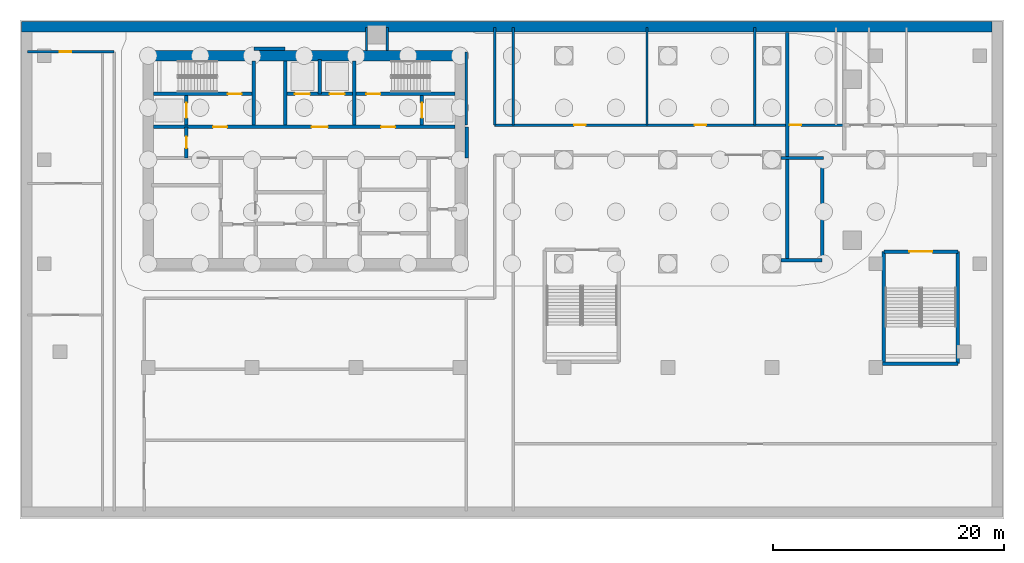
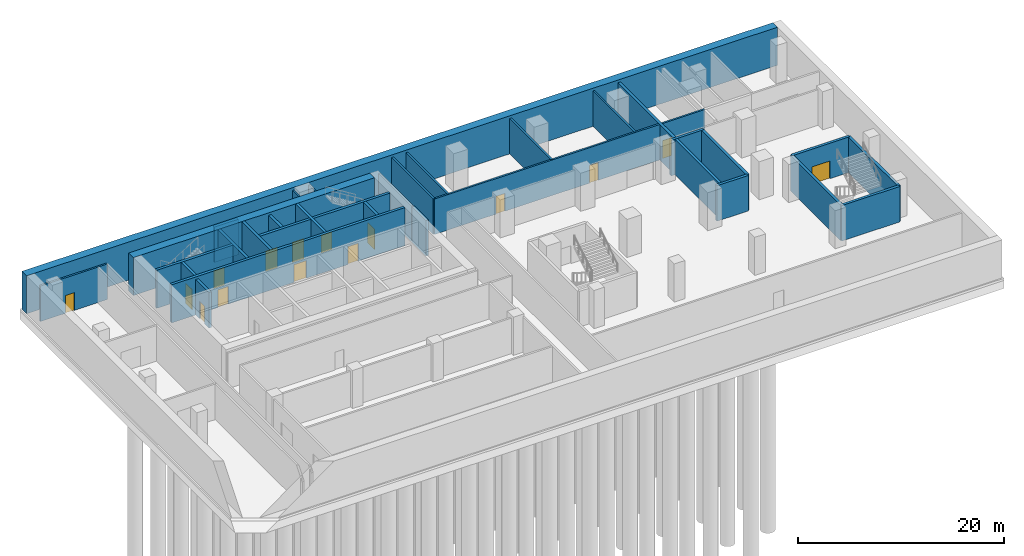
# One storey, part 5 of 13: 31 walls, 15 doors, 15 openings.
"""IFC4 building model written with IfcOpenShell, lengths in metres."""

from ifc_helpers import new_model, si_unit, direction, frame, frame_2d, origin, place, context, subcontext, project, spatial, rectangle, extrude, material, layer, layer_set, type_object, element, fill, save


model = new_model("IFC4")

# Units and contexts
model_context = context("Model", 3, precision=1e-05, world=origin(), true_north=direction((0.0, 1.0)))
body_context = subcontext(model_context, "Body", "Model", "MODEL_VIEW")
ifc_project = project(units=[si_unit("LENGTHUNIT", "METRE"), si_unit("AREAUNIT", "SQUARE_METRE"), si_unit("VOLUMEUNIT", "CUBIC_METRE"), si_unit("PLANEANGLEUNIT", "RADIAN"), si_unit("MASSUNIT", "GRAM", prefix="KILO")], contexts=[model_context])

# Site, building, storey
site_placement = place(None, origin())
site = spatial("IfcSite", under=ifc_project, at=site_placement, CompositionType="ELEMENT")
building_placement = place(site_placement, origin())
building = spatial("IfcBuilding", under=site, at=building_placement, Name="Ogive Portal Towers", CompositionType="ELEMENT")
storey_placement = place(building_placement, frame((0.0, 0.0, -9.0)))
storey = spatial("IfcBuildingStorey", under=building, at=storey_placement, Name="B2", CompositionType="ELEMENT", Elevation=-9.0)

# Wall, openings, doors
ifc_material_1 = material(Name="Concrete C60/75", Category="concrete")
ifc_layer_1 = layer(ifc_material_1, 0.300048828125)
ifc_layer_set_1 = layer_set([ifc_layer_1], Name="CORE WALL 300 C60")
wall_type_1 = type_object("IfcWallType", Name="CORE WALL 300 C60", PredefinedType="SHEAR", material=ifc_layer_set_1)
wall_1_placement = place(storey_placement, frame((31.949951171875, 33.35009765625, 0.0), z_axis=(0.0, 0.0, 1.0), x_axis=(1.0, 0.0, 0.0)))
wall_1 = element("IfcWall", 1, at=wall_1_placement, inside=storey, type_object=wall_type_1, Name="Core wall Y2 B2", PredefinedType="SHEAR", context=body_context, shape_type="SweptSolid", body=[
    extrude(rectangle(XDim=26.10009765625, YDim=0.300048828125, at=frame_2d((13.050048828125, 0.0))), origin(), (0.0, 0.0, 1.0), 4.5),
])
opening_1_placement = place(wall_1_placement, frame((13.699951171875, 0.0, 0.0)))
opening_1 = element("IfcOpeningElement", 2, at=opening_1_placement, cuts=wall_1, Name="Opening D100-001", PredefinedType="OPENING", context=body_context, shape_type="SweptSolid", body=[
    extrude(rectangle(XDim=1.39990234375, YDim=2.10009765625, at=frame_2d((0.699951171875, 1.050048828125))), frame((0.0, 0.16015625, 0.0), z_axis=(0.0, -1.0, 0.0), x_axis=(1.0, 0.0, 0.0)), (0.0, 0.0, 1.0), 0.320068359375),
])
opening_2_placement = place(wall_1_placement, frame((5.175048828125, 0.0, 0.0)))
opening_2 = element("IfcOpeningElement", 3, at=opening_2_placement, cuts=wall_1, Name="Opening D100-002", PredefinedType="OPENING", context=body_context, shape_type="SweptSolid", body=[
    extrude(rectangle(XDim=1.199951171875, YDim=2.10009765625, at=frame_2d((0.60009765625, 1.050048828125))), frame((0.0, 0.16015625, 0.0), z_axis=(0.0, -1.0, 0.0), x_axis=(1.0, 0.0, 0.0)), (0.0, 0.0, 1.0), 0.320068359375),
])
opening_3_placement = place(wall_1_placement, frame((19.72509765625, 0.0, 0.0)))
opening_3 = element("IfcOpeningElement", 4, at=opening_3_placement, cuts=wall_1, Name="Opening D100-003", PredefinedType="OPENING", context=body_context, shape_type="SweptSolid", body=[
    extrude(rectangle(XDim=1.199951171875, YDim=2.10009765625, at=frame_2d((0.60009765625, 1.050048828125))), frame((0.0, 0.16015625, 0.0), z_axis=(0.0, -1.0, 0.0), x_axis=(1.0, 0.0, 0.0)), (0.0, 0.0, 1.0), 0.320068359375),
])
ifc_material_2 = material(Name="Steel fire door", Category="steel")
door_type_1 = type_object("IfcDoorType", Name="DT-SWING-1200x2100-FD90S", OperationType="SINGLE_SWING_LEFT", PredefinedType="DOOR", material=ifc_material_2)
door_1_placement = place(opening_2_placement, origin())
door_1 = element("IfcDoor", 5, at=door_1_placement, inside=storey, type_object=door_type_1, Name="Door D100-002", OperationType="SINGLE_SWING_LEFT", OverallHeight=2.10009765625, OverallWidth=1.199951171875, PredefinedType="DOOR", context=body_context, shape_type="SweptSolid", body=[
    extrude(rectangle(XDim=1.199951171875, YDim=2.10009765625, at=frame_2d((0.60009765625, 1.050048828125))), frame((0.0, 0.02490234375, 0.0), z_axis=(0.0, -1.0, 0.0), x_axis=(1.0, 0.0, 0.0)), (0.0, 0.0, 1.0), 0.050048828125),
])
fill(opening_2, door_1)
door_2_placement = place(opening_3_placement, origin())
door_2 = element("IfcDoor", 6, at=door_2_placement, inside=storey, type_object=door_type_1, Name="Door D100-003", OperationType="SINGLE_SWING_RIGHT", OverallHeight=2.10009765625, OverallWidth=1.199951171875, PredefinedType="DOOR", context=body_context, shape_type="SweptSolid", body=[
    extrude(rectangle(XDim=1.199951171875, YDim=2.10009765625, at=frame_2d((0.60009765625, 1.050048828125))), frame((0.0, 0.02490234375, 0.0), z_axis=(0.0, -1.0, 0.0), x_axis=(1.0, 0.0, 0.0)), (0.0, 0.0, 1.0), 0.050048828125),
])
fill(opening_3, door_2)
door_type_2 = type_object("IfcDoorType", Name="DT-SWING-1400x2100-FD90S", OperationType="SINGLE_SWING_LEFT", PredefinedType="DOOR", material=ifc_material_2)
door_3_placement = place(opening_1_placement, origin())
door_3 = element("IfcDoor", 7, at=door_3_placement, inside=storey, type_object=door_type_2, Name="Door D100-001", OperationType="SINGLE_SWING_RIGHT", OverallHeight=2.10009765625, OverallWidth=1.39990234375, PredefinedType="DOOR", context=body_context, shape_type="SweptSolid", body=[
    extrude(rectangle(XDim=1.39990234375, YDim=2.10009765625, at=frame_2d((0.699951171875, 1.050048828125))), frame((0.0, 0.02490234375, 0.0), z_axis=(0.0, -1.0, 0.0), x_axis=(1.0, 0.0, 0.0)), (0.0, 0.0, 1.0), 0.050048828125),
])
fill(opening_1, door_3)

# Wall, opening, door
wall_2_placement = place(storey_placement, frame((31.949951171875, 36.199951171875, 0.0), z_axis=(0.0, 0.0, 1.0), x_axis=(1.0, 0.0, 0.0)))
wall_2 = element("IfcWall", 8, at=wall_2_placement, inside=storey, type_object=wall_type_1, Name="Core wall Y3a B2", PredefinedType="SHEAR", context=body_context, shape_type="SweptSolid", body=[
    extrude(rectangle(XDim=8.550048828125, YDim=0.300048828125, at=frame_2d((4.27490234375, 0.0))), origin(), (0.0, 0.0, 1.0), 4.5),
])
opening_4_placement = place(wall_2_placement, frame((6.449951171875, 0.0, 0.0)))
opening_4 = element("IfcOpeningElement", 9, at=opening_4_placement, cuts=wall_2, Name="Opening D100-004", PredefinedType="OPENING", context=body_context, shape_type="SweptSolid", body=[
    extrude(rectangle(XDim=1.199951171875, YDim=2.10009765625, at=frame_2d((0.60009765625, 1.050048828125))), frame((0.0, 0.16015625, 0.0), z_axis=(0.0, -1.0, 0.0), x_axis=(1.0, 0.0, 0.0)), (0.0, 0.0, 1.0), 0.320068359375),
])
door_4_placement = place(opening_4_placement, origin())
door_4 = element("IfcDoor", 10, at=door_4_placement, inside=storey, type_object=door_type_1, Name="Door D100-004", OperationType="SINGLE_SWING_RIGHT", OverallHeight=2.10009765625, OverallWidth=1.199951171875, PredefinedType="DOOR", context=body_context, shape_type="SweptSolid", body=[
    extrude(rectangle(XDim=1.199951171875, YDim=2.10009765625, at=frame_2d((0.60009765625, 1.050048828125))), frame((0.0, 0.02490234375, 0.0), z_axis=(0.0, -1.0, 0.0), x_axis=(1.0, 0.0, 0.0)), (0.0, 0.0, 1.0), 0.050048828125),
])
fill(opening_4, door_4)

# Wall, openings, doors
wall_3_placement = place(storey_placement, frame((43.5, 36.199951171875, 0.0), z_axis=(0.0, 0.0, 1.0), x_axis=(1.0, 0.0, 0.0)))
wall_3 = element("IfcWall", 11, at=wall_3_placement, inside=storey, type_object=wall_type_1, Name="Core wall Y3b B2", PredefinedType="SHEAR", context=body_context, shape_type="SweptSolid", body=[
    extrude(rectangle(XDim=14.550048828125, YDim=0.300048828125, at=frame_2d((7.27490234375, 0.0))), origin(), (0.0, 0.0, 1.0), 4.5),
])
opening_5_placement = place(wall_3_placement, frame((6.89990234375, 0.0, 0.0)))
opening_5 = element("IfcOpeningElement", 12, at=opening_5_placement, cuts=wall_3, Name="Opening D100-005", PredefinedType="OPENING", context=body_context, shape_type="SweptSolid", body=[
    extrude(rectangle(XDim=1.199951171875, YDim=2.10009765625, at=frame_2d((0.60009765625, 1.050048828125))), frame((0.0, 0.16015625, 0.0), z_axis=(0.0, -1.0, 0.0), x_axis=(1.0, 0.0, 0.0)), (0.0, 0.0, 1.0), 0.320068359375),
])
opening_6_placement = place(wall_3_placement, frame((0.699951171875, 0.0, 0.0)))
opening_6 = element("IfcOpeningElement", 13, at=opening_6_placement, cuts=wall_3, Name="Opening D100-010", PredefinedType="OPENING", context=body_context, shape_type="SweptSolid", body=[
    extrude(rectangle(XDim=1.300048828125, YDim=2.39990234375, at=frame_2d((0.64990234375, 1.199951171875))), frame((0.0, 0.16015625, 0.0), z_axis=(0.0, -1.0, 0.0), x_axis=(1.0, 0.0, 0.0)), (0.0, 0.0, 1.0), 0.320068359375),
])
opening_7_placement = place(wall_3_placement, frame((3.699951171875, 0.0, 0.0)))
opening_7 = element("IfcOpeningElement", 14, at=opening_7_placement, cuts=wall_3, Name="Opening D100-011", PredefinedType="OPENING", context=body_context, shape_type="SweptSolid", body=[
    extrude(rectangle(XDim=1.300048828125, YDim=2.39990234375, at=frame_2d((0.64990234375, 1.199951171875))), frame((0.0, 0.16015625, 0.0), z_axis=(0.0, -1.0, 0.0), x_axis=(1.0, 0.0, 0.0)), (0.0, 0.0, 1.0), 0.320068359375),
])
ifc_material_3 = material(Name="Stainless steel", Category="steel")
door_type_3 = type_object("IfcDoorType", Name="DT-LD-1300x2400", OperationType="SLIDING_TO_LEFT", PredefinedType="DOOR", material=ifc_material_3)
door_5_placement = place(opening_6_placement, origin())
door_5 = element("IfcDoor", 15, at=door_5_placement, inside=storey, type_object=door_type_3, Name="Door D100-010", OperationType="SLIDING_TO_LEFT", OverallHeight=2.39990234375, OverallWidth=1.300048828125, PredefinedType="DOOR", context=body_context, shape_type="SweptSolid", body=[
    extrude(rectangle(XDim=1.300048828125, YDim=2.39990234375, at=frame_2d((0.64990234375, 1.199951171875))), frame((0.0, 0.02490234375, 0.0), z_axis=(0.0, -1.0, 0.0), x_axis=(1.0, 0.0, 0.0)), (0.0, 0.0, 1.0), 0.050048828125),
])
fill(opening_6, door_5)
door_6_placement = place(opening_7_placement, origin())
door_6 = element("IfcDoor", 16, at=door_6_placement, inside=storey, type_object=door_type_3, Name="Door D100-011", OperationType="SLIDING_TO_LEFT", OverallHeight=2.39990234375, OverallWidth=1.300048828125, PredefinedType="DOOR", context=body_context, shape_type="SweptSolid", body=[
    extrude(rectangle(XDim=1.300048828125, YDim=2.39990234375, at=frame_2d((0.64990234375, 1.199951171875))), frame((0.0, 0.02490234375, 0.0), z_axis=(0.0, -1.0, 0.0), x_axis=(1.0, 0.0, 0.0)), (0.0, 0.0, 1.0), 0.050048828125),
])
fill(opening_7, door_6)
door_7_placement = place(opening_5_placement, origin())
door_7 = element("IfcDoor", 17, at=door_7_placement, inside=storey, type_object=door_type_1, Name="Door D100-005", OperationType="SINGLE_SWING_LEFT", OverallHeight=2.10009765625, OverallWidth=1.199951171875, PredefinedType="DOOR", context=body_context, shape_type="SweptSolid", body=[
    extrude(rectangle(XDim=1.199951171875, YDim=2.10009765625, at=frame_2d((0.60009765625, 1.050048828125))), frame((0.0, 0.02490234375, 0.0), z_axis=(0.0, -1.0, 0.0), x_axis=(1.0, 0.0, 0.0)), (0.0, 0.0, 1.0), 0.050048828125),
])
fill(opening_5, door_7)

# Walls
for number, where, z_axis, x_axis, name in (
    (18, (40.64990234375, 33.5, 0.0), (0.0, 0.0, 1.0), (0.0, 1.0, 0.0), "Core wall X6 B2"),
    (19, (43.35009765625, 33.5, 0.0), (0.0, 0.0, 1.0), (0.0, 1.0, 0.0), "Core wall X7 B2"),
):
    element("IfcWall", number, at=place(storey_placement, frame(where, z_axis=z_axis, x_axis=x_axis)), inside=storey, type_object=wall_type_1, Name=name, PredefinedType="SHEAR", context=body_context, shape_type="SweptSolid", body=[
        extrude(rectangle(XDim=5.550048828125, YDim=0.300048828125, at=frame_2d((2.77490234375, 0.0))), origin(), (0.0, 0.0, 1.0), 4.5),
    ])

# Wall, opening, door
wall_4_placement = place(storey_placement, frame((34.800048828125, 33.5, 0.0), z_axis=(0.0, 0.0, 1.0), x_axis=(0.0, 1.0, 0.0)))
wall_4 = element("IfcWall", 20, at=wall_4_placement, inside=storey, type_object=wall_type_1, Name="Core wall X8 B2", PredefinedType="SHEAR", context=body_context, shape_type="SweptSolid", body=[
    extrude(rectangle(XDim=2.550048828125, YDim=0.300048828125, at=frame_2d((1.27490234375, 0.0))), origin(), (0.0, 0.0, 1.0), 4.5),
])
opening_8_placement = place(wall_4_placement, frame((0.625, 0.0, 0.0)))
opening_8 = element("IfcOpeningElement", 21, at=opening_8_placement, cuts=wall_4, Name="Opening D100-012", PredefinedType="OPENING", context=body_context, shape_type="SweptSolid", body=[
    extrude(rectangle(XDim=1.300048828125, YDim=2.39990234375, at=frame_2d((0.64990234375, 1.199951171875))), frame((0.0, 0.16015625, 0.0), z_axis=(0.0, -1.0, 0.0), x_axis=(1.0, 0.0, 0.0)), (0.0, 0.0, 1.0), 0.320068359375),
])
door_8_placement = place(opening_8_placement, origin())
door_8 = element("IfcDoor", 22, at=door_8_placement, inside=storey, type_object=door_type_3, Name="Door D100-012", OperationType="SLIDING_TO_LEFT", OverallHeight=2.39990234375, OverallWidth=1.300048828125, PredefinedType="DOOR", context=body_context, shape_type="SweptSolid", body=[
    extrude(rectangle(XDim=1.300048828125, YDim=2.39990234375, at=frame_2d((0.64990234375, 1.199951171875))), frame((0.0, 0.02490234375, 0.0), z_axis=(0.0, -1.0, 0.0), x_axis=(1.0, 0.0, 0.0)), (0.0, 0.0, 1.0), 0.050048828125),
])
fill(opening_8, door_8)

# Wall
wall_5_placement = place(storey_placement, frame((49.35009765625, 33.5, 0.0), z_axis=(0.0, 0.0, 1.0), x_axis=(0.0, 1.0, 0.0)))
element("IfcWall", 23, at=wall_5_placement, inside=storey, type_object=wall_type_1, Name="Core wall X9 B2", PredefinedType="SHEAR", context=body_context, shape_type="SweptSolid", body=[
    extrude(rectangle(XDim=5.550048828125, YDim=0.300048828125, at=frame_2d((2.77490234375, 0.0))), origin(), (0.0, 0.0, 1.0), 4.5),
])

# Wall, opening, door
wall_6_placement = place(storey_placement, frame((55.199951171875, 33.5, 0.0), z_axis=(0.0, 0.0, 1.0), x_axis=(0.0, 1.0, 0.0)))
wall_6 = element("IfcWall", 24, at=wall_6_placement, inside=storey, type_object=wall_type_1, Name="Core wall X10 B2", PredefinedType="SHEAR", context=body_context, shape_type="SweptSolid", body=[
    extrude(rectangle(XDim=2.550048828125, YDim=0.300048828125, at=frame_2d((1.27490234375, 0.0))), origin(), (0.0, 0.0, 1.0), 4.5),
])
opening_9_placement = place(wall_6_placement, frame((0.625, 0.0, 0.0)))
opening_9 = element("IfcOpeningElement", 25, at=opening_9_placement, cuts=wall_6, Name="Opening D100-013", PredefinedType="OPENING", context=body_context, shape_type="SweptSolid", body=[
    extrude(rectangle(XDim=1.300048828125, YDim=2.39990234375, at=frame_2d((0.64990234375, 1.199951171875))), frame((0.0, 0.16015625, 0.0), z_axis=(0.0, -1.0, 0.0), x_axis=(1.0, 0.0, 0.0)), (0.0, 0.0, 1.0), 0.320068359375),
])
door_9_placement = place(opening_9_placement, origin())
door_9 = element("IfcDoor", 26, at=door_9_placement, inside=storey, type_object=door_type_3, Name="Door D100-013", OperationType="SLIDING_TO_LEFT", OverallHeight=2.39990234375, OverallWidth=1.300048828125, PredefinedType="DOOR", context=body_context, shape_type="SweptSolid", body=[
    extrude(rectangle(XDim=1.300048828125, YDim=2.39990234375, at=frame_2d((0.64990234375, 1.199951171875))), frame((0.0, 0.02490234375, 0.0), z_axis=(0.0, -1.0, 0.0), x_axis=(1.0, 0.0, 0.0)), (0.0, 0.0, 1.0), 0.050048828125),
])
fill(opening_9, door_9)

# Walls
ifc_layer_2 = layer(ifc_material_1, 0.89990234375)
ifc_layer_set_2 = layer_set([ifc_layer_2], Name="CORE WALL 900 C60")
wall_type_2 = type_object("IfcWallType", Name="CORE WALL 900 C60", PredefinedType="SHEAR", material=ifc_layer_set_2)
wall_7_placement = place(storey_placement, frame((31.050048828125, 39.5, 0.0), z_axis=(0.0, 0.0, 1.0), x_axis=(1.0, 0.0, 0.0)))
element("IfcWall", 27, at=wall_7_placement, inside=storey, type_object=wall_type_2, Name="Core wall N B2", PredefinedType="SHEAR", context=body_context, shape_type="SweptSolid", body=[
    extrude(rectangle(XDim=27.0, YDim=0.89990234375, at=frame_2d((13.5, 0.0))), origin(), (0.0, 0.0, 1.0), 4.5),
])
ifc_material_4 = material(Name="Concrete C50/60", Category="concrete")
ifc_layer_3 = layer(ifc_material_4, 0.300048828125)
ifc_layer_set_3 = layer_set([ifc_layer_3], Name="STAIR WALL 300 C50")
wall_type_3 = type_object("IfcWallType", Name="STAIR WALL 300 C50", PredefinedType="SHEAR", material=ifc_layer_set_3)
wall_8_placement = place(storey_placement, frame((95.10009765625, 12.85009765625, 0.0), z_axis=(0.0, 0.0, 1.0), x_axis=(1.0, 0.0, 0.0)))
element("IfcWall", 28, at=wall_8_placement, inside=storey, type_object=wall_type_3, Name="Stair wall ST-S2 B2", PredefinedType="SHEAR", context=body_context, shape_type="SweptSolid", body=[
    extrude(rectangle(XDim=6.5, YDim=0.300048828125, at=frame_2d((3.25, 0.0))), origin(), (0.0, 0.0, 1.0), 4.199951171875),
])
for number, where, z_axis, x_axis, name in (
    (29, (101.60009765625, 12.85009765625, 0.0), (0.0, 0.0, 1.0), (0.0, 1.0, 0.0), "Stair wall ST-S2 B2"),
    (30, (95.199951171875, 12.85009765625, 0.0), (0.0, 0.0, 1.0), (0.0, 1.0, 0.0), "Stair wall ST-S2 B2"),
):
    element("IfcWall", number, at=place(storey_placement, frame(where, z_axis=z_axis, x_axis=x_axis)), inside=storey, type_object=wall_type_3, Name=name, PredefinedType="SHEAR", context=body_context, shape_type="SweptSolid", body=[
        extrude(rectangle(XDim=9.699951171875, YDim=0.300048828125, at=frame_2d((4.85009765625, 0.0))), origin(), (0.0, 0.0, 1.0), 4.199951171875),
    ])
wall_9_placement = place(storey_placement, frame((86.300048828125, 21.800048828125, 0.0), z_axis=(0.0, 0.0, 1.0), x_axis=(1.0, 0.0, 0.0)))
element("IfcWall", 31, at=wall_9_placement, inside=storey, type_object=wall_type_3, Name="Stair wall support ST-A4 B2", PredefinedType="SHEAR", context=body_context, shape_type="SweptSolid", body=[
    extrude(rectangle(XDim=3.550048828125, YDim=0.300048828125, at=frame_2d((1.77490234375, 0.0))), origin(), (0.0, 0.0, 1.0), 4.199951171875),
])
wall_10_placement = place(storey_placement, frame((86.300048828125, 30.64990234375, 0.0), z_axis=(0.0, 0.0, 1.0), x_axis=(1.0, 0.0, 0.0)))
element("IfcWall", 32, at=wall_10_placement, inside=storey, type_object=wall_type_3, Name="Stair wall support ST-A4 B2", PredefinedType="SHEAR", context=body_context, shape_type="SweptSolid", body=[
    extrude(rectangle(XDim=3.669921875, YDim=0.300048828125, at=frame_2d((1.8349609375, 0.0))), origin(), (0.0, 0.0, 1.0), 4.199951171875),
])
wall_11_placement = place(storey_placement, frame((86.85009765625, 21.800048828125, 0.0), z_axis=(0.0, 0.0, 1.0), x_axis=(0.0, 1.0, 0.0)))
element("IfcWall", 33, at=wall_11_placement, inside=storey, type_object=wall_type_3, Name="Stair wall support ST-A4 B2", PredefinedType="SHEAR", context=body_context, shape_type="SweptSolid", body=[
    extrude(rectangle(XDim=19.72998046875, YDim=0.300048828125, at=frame_2d((9.864990234375, 0.0))), origin(), (0.0, 0.0, 1.0), 4.199951171875),
])
wall_12_placement = place(storey_placement, frame((89.85009765625, 21.800048828125, 0.0), z_axis=(0.0, 0.0, 1.0), x_axis=(0.0, 1.0, 0.0)))
element("IfcWall", 34, at=wall_12_placement, inside=storey, type_object=wall_type_3, Name="Stair wall support ST-A4 B2", PredefinedType="SHEAR", context=body_context, shape_type="SweptSolid", body=[
    extrude(rectangle(XDim=8.919921875, YDim=0.300048828125, at=frame_2d((4.4599609375, 0.0))), origin(), (0.0, 0.0, 1.0), 4.199951171875),
])
ifc_material_5 = material(Name="Concrete C40/50", Category="concrete")
ifc_layer_4 = layer(ifc_material_5, 0.89990234375)
ifc_layer_set_4 = layer_set([ifc_layer_4], Name="STATION WALL 900 C40")
wall_type_4 = type_object("IfcWallType", Name="STATION WALL 900 C40", PredefinedType="SOLIDWALL", material=ifc_layer_set_4)
wall_13_placement = place(storey_placement, frame((104.550048828125, 42.0, 0.0), z_axis=(0.0, 0.0, 1.0), x_axis=(-1.0, 0.0, 0.0)))
element("IfcWall", 35, at=wall_13_placement, inside=storey, type_object=wall_type_4, Name="Station wall B2", PredefinedType="SOLIDWALL", context=body_context, shape_type="SweptSolid", body=[
    extrude(rectangle(XDim=84.0, YDim=0.89990234375, at=frame_2d((42.0, 0.0))), origin(), (0.0, 0.0, 1.0), 4.5),
])

# Wall, openings, doors
ifc_material_6 = material(Name="Gypsum board partition on steel studs", Category="steel")
ifc_layer_5 = layer(ifc_material_6, 0.199951171875)
ifc_layer_set_5 = layer_set([ifc_layer_5], Name="WT-PART-200-EI 60")
wall_type_5 = type_object("IfcWallType", Name="WT-PART-200-EI 60", PredefinedType="PARTITIONING", material=ifc_layer_set_5)
wall_14_placement = place(storey_placement, frame((61.5, 33.5, 0.0), z_axis=(0.0, 0.0, 1.0), x_axis=(1.0, 0.0, 0.0)))
wall_14 = element("IfcWall", 36, at=wall_14_placement, inside=storey, type_object=wall_type_5, Name="Wall B2:w011", PredefinedType="PARTITIONING", context=body_context, shape_type="SweptSolid", body=[
    extrude(rectangle(XDim=30.25, YDim=0.199951171875, at=frame_2d((15.125, 0.0))), origin(), (0.0, 0.0, 1.0), 4.199951171875),
])
opening_10_placement = place(wall_14_placement, frame((6.883056640625, 0.0, 0.0)))
opening_10 = element("IfcOpeningElement", 37, at=opening_10_placement, cuts=wall_14, Name="Opening PB2-006", PredefinedType="OPENING", context=body_context, shape_type="SweptSolid", body=[
    extrude(rectangle(XDim=1.0, YDim=2.10009765625, at=frame_2d((0.5, 1.050048828125))), frame((0.0, 0.10986328125, 0.0), z_axis=(0.0, -1.0, 0.0), x_axis=(1.0, 0.0, 0.0)), (0.0, 0.0, 1.0), 0.219970703125),
])
opening_11_placement = place(wall_14_placement, frame((17.31005859375, 0.0, 0.0)))
opening_11 = element("IfcOpeningElement", 38, at=opening_11_placement, cuts=wall_14, Name="Opening PB2-007", PredefinedType="OPENING", context=body_context, shape_type="SweptSolid", body=[
    extrude(rectangle(XDim=1.0, YDim=2.10009765625, at=frame_2d((0.5, 1.050048828125))), frame((0.0, 0.10986328125, 0.0), z_axis=(0.0, -1.0, 0.0), x_axis=(1.0, 0.0, 0.0)), (0.0, 0.0, 1.0), 0.219970703125),
])
opening_12_placement = place(wall_14_placement, frame((25.5439453125, 0.0, 0.0)))
opening_12 = element("IfcOpeningElement", 39, at=opening_12_placement, cuts=wall_14, Name="Opening PB2-008", PredefinedType="OPENING", context=body_context, shape_type="SweptSolid", body=[
    extrude(rectangle(XDim=1.0, YDim=2.10009765625, at=frame_2d((0.5, 1.050048828125))), frame((0.0, 0.10986328125, 0.0), z_axis=(0.0, -1.0, 0.0), x_axis=(1.0, 0.0, 0.0)), (0.0, 0.0, 1.0), 0.219970703125),
])
door_type_4 = type_object("IfcDoorType", Name="DT-SWING-1000x2100-FD60S", OperationType="SINGLE_SWING_LEFT", PredefinedType="DOOR", material=ifc_material_2)
door_10_placement = place(opening_10_placement, origin())
door_10 = element("IfcDoor", 40, at=door_10_placement, inside=storey, type_object=door_type_4, Name="Door PB2-006", OperationType="SINGLE_SWING_RIGHT", OverallHeight=2.10009765625, OverallWidth=1.0, PredefinedType="DOOR", context=body_context, shape_type="SweptSolid", body=[
    extrude(rectangle(XDim=1.0, YDim=2.10009765625, at=frame_2d((0.5, 1.050048828125))), frame((0.0, 0.02490234375, 0.0), z_axis=(0.0, -1.0, 0.0), x_axis=(1.0, 0.0, 0.0)), (0.0, 0.0, 1.0), 0.050048828125),
])
fill(opening_10, door_10)
door_11_placement = place(opening_11_placement, origin())
door_11 = element("IfcDoor", 41, at=door_11_placement, inside=storey, type_object=door_type_4, Name="Door PB2-007", OperationType="SINGLE_SWING_LEFT", OverallHeight=2.10009765625, OverallWidth=1.0, PredefinedType="DOOR", context=body_context, shape_type="SweptSolid", body=[
    extrude(rectangle(XDim=1.0, YDim=2.10009765625, at=frame_2d((0.5, 1.050048828125))), frame((0.0, 0.02490234375, 0.0), z_axis=(0.0, -1.0, 0.0), x_axis=(1.0, 0.0, 0.0)), (0.0, 0.0, 1.0), 0.050048828125),
])
fill(opening_11, door_11)
door_12_placement = place(opening_12_placement, origin())
door_12 = element("IfcDoor", 42, at=door_12_placement, inside=storey, type_object=door_type_4, Name="Door PB2-008", OperationType="SINGLE_SWING_RIGHT", OverallHeight=2.10009765625, OverallWidth=1.0, PredefinedType="DOOR", context=body_context, shape_type="SweptSolid", body=[
    extrude(rectangle(XDim=1.0, YDim=2.10009765625, at=frame_2d((0.5, 1.050048828125))), frame((0.0, 0.02490234375, 0.0), z_axis=(0.0, -1.0, 0.0), x_axis=(1.0, 0.0, 0.0)), (0.0, 0.0, 1.0), 0.050048828125),
])
fill(opening_12, door_12)

# Wall, opening, door
wall_15_placement = place(storey_placement, frame((21.070068359375, 39.85009765625, 0.0), z_axis=(0.0, 0.0, 1.0), x_axis=(1.0, 0.0, 0.0)))
wall_15 = element("IfcWall", 43, at=wall_15_placement, inside=storey, type_object=wall_type_5, Name="Wall B2:w012", PredefinedType="PARTITIONING", context=body_context, shape_type="SweptSolid", body=[
    extrude(rectangle(XDim=7.47998046875, YDim=0.199951171875, at=frame_2d((3.739990234375, 0.0))), origin(), (0.0, 0.0, 1.0), 4.199951171875),
])
opening_13_placement = place(wall_15_placement, frame((2.780029296875, 0.0, 0.0)))
opening_13 = element("IfcOpeningElement", 44, at=opening_13_placement, cuts=wall_15, Name="Opening PB2-011", PredefinedType="OPENING", context=body_context, shape_type="SweptSolid", body=[
    extrude(rectangle(XDim=1.0, YDim=2.10009765625, at=frame_2d((0.5, 1.050048828125))), frame((0.0, 0.10986328125, 0.0), z_axis=(0.0, -1.0, 0.0), x_axis=(1.0, 0.0, 0.0)), (0.0, 0.0, 1.0), 0.219970703125),
])
door_13_placement = place(opening_13_placement, origin())
door_13 = element("IfcDoor", 45, at=door_13_placement, inside=storey, type_object=door_type_4, Name="Door PB2-011", OperationType="SINGLE_SWING_LEFT", OverallHeight=2.10009765625, OverallWidth=1.0, PredefinedType="DOOR", context=body_context, shape_type="SweptSolid", body=[
    extrude(rectangle(XDim=1.0, YDim=2.10009765625, at=frame_2d((0.5, 1.050048828125))), frame((0.0, 0.02490234375, 0.0), z_axis=(0.0, -1.0, 0.0), x_axis=(1.0, 0.0, 0.0)), (0.0, 0.0, 1.0), 0.050048828125),
])
fill(opening_13, door_13)

# Walls
for number, where, z_axis, x_axis, name in (
    (46, (50.39990234375, 39.969970703125, 0.0), (0.0, 0.0, 1.0), (0.0, 1.0, 0.0), "Wall B2:w023"),
    (47, (52.199951171875, 39.969970703125, 0.0), (0.0, 0.0, 1.0), (0.0, 1.0, 0.0), "Wall B2:w024"),
):
    element("IfcWall", number, at=place(storey_placement, frame(where, z_axis=z_axis, x_axis=x_axis)), inside=storey, type_object=wall_type_5, Name=name, PredefinedType="PARTITIONING", context=body_context, shape_type="SweptSolid", body=[
        extrude(rectangle(XDim=1.9599609375, YDim=0.199951171875, at=frame_2d((0.97998046875, 0.0))), origin(), (0.0, 0.0, 1.0), 4.199951171875),
    ])
wall_16_placement = place(storey_placement, frame((59.050048828125, 33.5, 0.0), z_axis=(0.0, 0.0, 1.0), x_axis=(0.0, 1.0, 0.0)))
element("IfcWall", 48, at=wall_16_placement, inside=storey, type_object=wall_type_5, Name="Wall B2:w027", PredefinedType="PARTITIONING", context=body_context, shape_type="SweptSolid", body=[
    extrude(rectangle(XDim=6.35009765625, YDim=0.199951171875, at=frame_2d((3.175048828125, 0.0))), origin(), (0.0, 0.0, 1.0), 4.199951171875),
])
for number, where, z_axis, x_axis, name in (
    (49, (61.5, 33.5, 0.0), (0.0, 0.0, 1.0), (0.0, 1.0, 0.0), "Wall B2:w029"),
    (50, (63.10009765625, 33.5, 0.0), (0.0, 0.0, 1.0), (0.0, 1.0, 0.0), "Wall B2:w031"),
    (51, (74.697021484375, 33.5, 0.0), (0.0, 0.0, 1.0), (0.0, 1.0, 0.0), "Wall B2:w034"),
    (52, (84.014892578125, 33.5, 0.0), (0.0, 0.0, 1.0), (0.0, 1.0, 0.0), "Wall B2:w035"),
):
    element("IfcWall", number, at=place(storey_placement, frame(where, z_axis=z_axis, x_axis=x_axis)), inside=storey, type_object=wall_type_5, Name=name, PredefinedType="PARTITIONING", context=body_context, shape_type="SweptSolid", body=[
        extrude(rectangle(XDim=8.429931640625, YDim=0.199951171875, at=frame_2d((4.21484375, 0.0))), origin(), (0.0, 0.0, 1.0), 4.199951171875),
    ])
ifc_layer_6 = layer(ifc_material_6, 0.300048828125)
ifc_layer_set_6 = layer_set([ifc_layer_6], Name="WT-PART-300")
wall_type_6 = type_object("IfcWallType", Name="WT-PART-300", PredefinedType="PARTITIONING", material=ifc_layer_set_6)
for number, where, z_axis, x_axis, name in (
    (53, (40.64990234375, 40.10009765625, 0.0), (0.0, 0.0, 1.0), (1.0, 0.0, 0.0), "Wall pw:011:B2"),
    (54, (59.10009765625, 30.64990234375, 0.0), (0.0, 0.0, 1.0), (0.0, 1.0, 0.0), "Wall pw:016:B2"),
):
    element("IfcWall", number, at=place(storey_placement, frame(where, z_axis=z_axis, x_axis=x_axis)), inside=storey, type_object=wall_type_6, Name=name, PredefinedType="PARTITIONING", context=body_context, shape_type="SweptSolid", body=[
        extrude(rectangle(XDim=2.7001953125, YDim=0.300048828125, at=frame_2d((1.35009765625, 0.0))), origin(), (0.0, 0.0, 1.0), 4.199951171875),
    ])

# Wall, opening, door
ifc_layer_7 = layer(ifc_material_5, 0.300048828125)
ifc_layer_set_7 = layer_set([ifc_layer_7], Name="WT-SHAFT-300")
wall_type_7 = type_object("IfcWallType", Name="WT-SHAFT-300", PredefinedType="SOLIDWALL", material=ifc_layer_set_7)
wall_17_placement = place(storey_placement, frame((34.800048828125, 30.64990234375, 0.0), z_axis=(0.0, 0.0, 1.0), x_axis=(0.0, 1.0, 0.0)))
wall_17 = element("IfcWall", 55, at=wall_17_placement, inside=storey, type_object=wall_type_7, Name="Wall pw:012:B2", PredefinedType="SOLIDWALL", context=body_context, shape_type="SweptSolid", body=[
    extrude(rectangle(XDim=2.7001953125, YDim=0.300048828125, at=frame_2d((1.35009765625, 0.0))), origin(), (0.0, 0.0, 1.0), 4.199951171875),
])
opening_14_placement = place(wall_17_placement, frame((0.85009765625, 0.0, 0.0)))
opening_14 = element("IfcOpeningElement", 56, at=opening_14_placement, cuts=wall_17, Name="Opening D100-021", PredefinedType="OPENING", context=body_context, shape_type="SweptSolid", body=[
    extrude(rectangle(XDim=1.0, YDim=2.10009765625, at=frame_2d((0.5, 1.050048828125))), frame((0.0, 0.16015625, 0.0), z_axis=(0.0, -1.0, 0.0), x_axis=(1.0, 0.0, 0.0)), (0.0, 0.0, 1.0), 0.320068359375),
])
door_type_5 = type_object("IfcDoorType", Name="DT-SWING-1000x2100-FD90S", OperationType="SINGLE_SWING_LEFT", PredefinedType="DOOR", material=ifc_material_2)
door_14_placement = place(opening_14_placement, origin())
door_14 = element("IfcDoor", 57, at=door_14_placement, inside=storey, type_object=door_type_5, Name="Door D100-021", OperationType="SINGLE_SWING_RIGHT", OverallHeight=2.10009765625, OverallWidth=1.0, PredefinedType="DOOR", context=body_context, shape_type="SweptSolid", body=[
    extrude(rectangle(XDim=1.0, YDim=2.10009765625, at=frame_2d((0.5, 1.050048828125))), frame((0.0, 0.02490234375, 0.0), z_axis=(0.0, -1.0, 0.0), x_axis=(1.0, 0.0, 0.0)), (0.0, 0.0, 1.0), 0.050048828125),
])
fill(opening_14, door_14)

# Wall
wall_18_placement = place(storey_placement, frame((46.35009765625, 36.199951171875, 0.0), z_axis=(0.0, 0.0, 1.0), x_axis=(0.0, 1.0, 0.0)))
element("IfcWall", 58, at=wall_18_placement, inside=storey, type_object=wall_type_7, Name="Wall pw:015:B2", PredefinedType="SOLIDWALL", context=body_context, shape_type="SweptSolid", body=[
    extrude(rectangle(XDim=3.0, YDim=0.300048828125, at=frame_2d((1.5, 0.0))), origin(), (0.0, 0.0, 1.0), 4.199951171875),
])

# Wall, opening, door
wall_19_placement = place(storey_placement, frame((95.199951171875, 22.550048828125, 0.0), z_axis=(0.0, 0.0, 1.0), x_axis=(1.0, 0.0, 0.0)))
wall_19 = element("IfcWall", 59, at=wall_19_placement, inside=storey, type_object=wall_type_7, Name="Wall B2:w007", PredefinedType="SOLIDWALL", context=body_context, shape_type="SweptSolid", body=[
    extrude(rectangle(XDim=6.400146484375, YDim=0.300048828125, at=frame_2d((3.2001953125, 0.0))), origin(), (0.0, 0.0, 1.0), 4.199951171875),
])
opening_15_placement = place(wall_19_placement, frame((2.199951171875, 0.0, 0.0)))
opening_15 = element("IfcOpeningElement", 60, at=opening_15_placement, cuts=wall_19, Name="Opening PB2-002", PredefinedType="OPENING", context=body_context, shape_type="SweptSolid", body=[
    extrude(rectangle(XDim=2.0, YDim=2.10009765625, at=frame_2d((1.0, 1.050048828125))), frame((0.0, 0.16015625, 0.0), z_axis=(0.0, -1.0, 0.0), x_axis=(1.0, 0.0, 0.0)), (0.0, 0.0, 1.0), 0.320068359375),
])
door_type_6 = type_object("IfcDoorType", Name="DT-SWING-2000x2100-FD90S", OperationType="SINGLE_SWING_LEFT", PredefinedType="DOOR", material=ifc_material_2)
door_15_placement = place(opening_15_placement, origin())
door_15 = element("IfcDoor", 61, at=door_15_placement, inside=storey, type_object=door_type_6, Name="Door PB2-002", OperationType="SINGLE_SWING_RIGHT", OverallHeight=2.10009765625, OverallWidth=2.0, PredefinedType="DOOR", context=body_context, shape_type="SweptSolid", body=[
    extrude(rectangle(XDim=2.0, YDim=2.10009765625, at=frame_2d((1.0, 1.050048828125))), frame((0.0, 0.02490234375, 0.0), z_axis=(0.0, -1.0, 0.0), x_axis=(1.0, 0.0, 0.0)), (0.0, 0.0, 1.0), 0.050048828125),
])
fill(opening_15, door_15)

save(model, "model.ifc")
